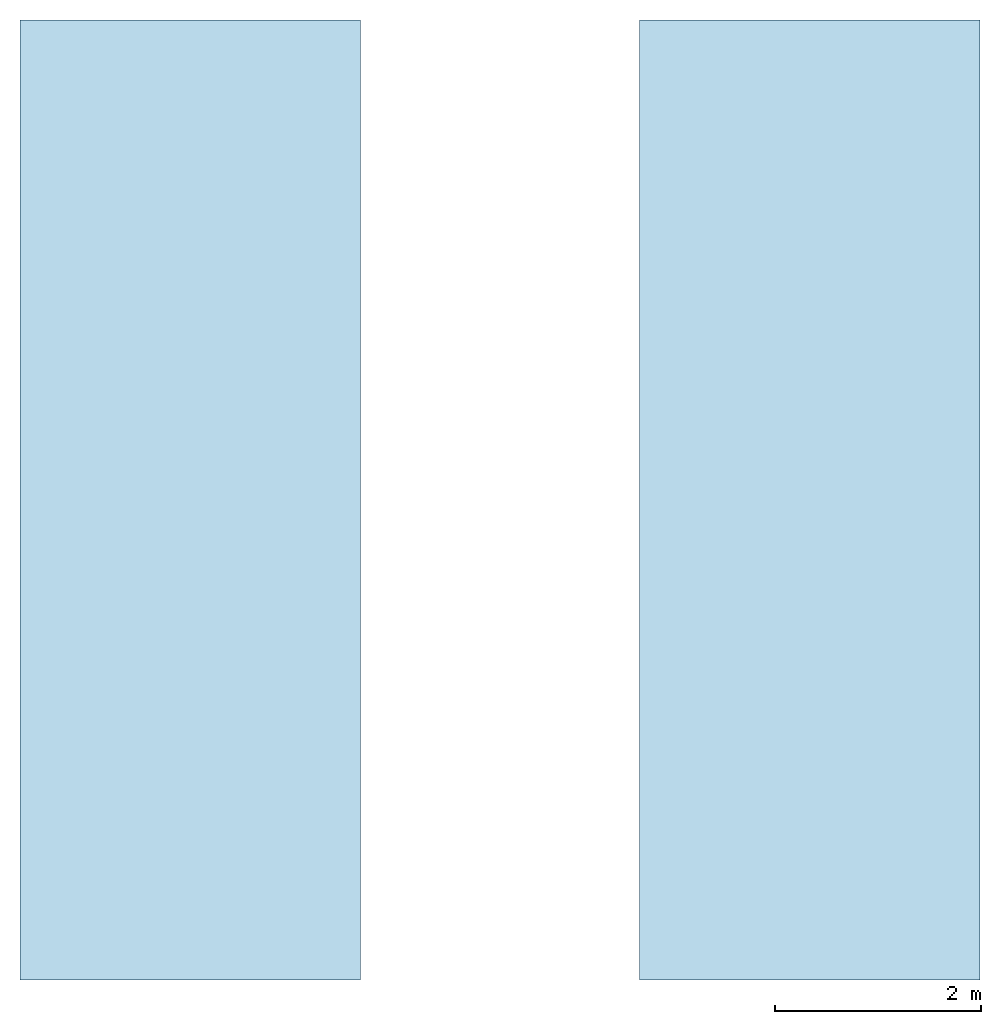
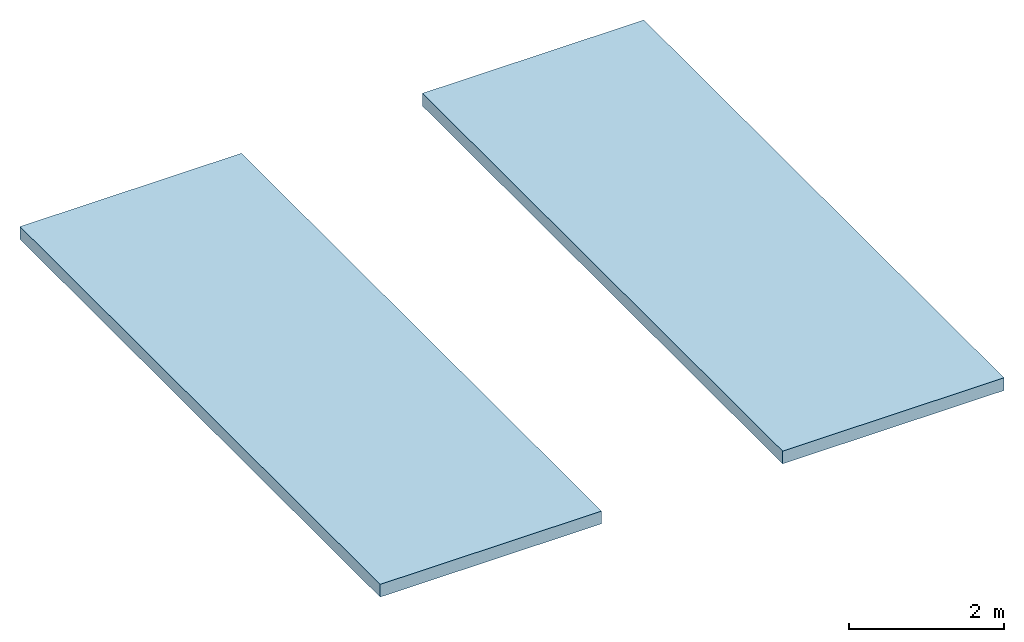
# One storey: 2 slabs.
"""IFC4 building model written with IfcOpenShell, lengths in metres."""

from ifc_helpers import new_model, si_unit, direction, frame, origin, place, context, subcontext, project, spatial, polyline, outline, extrude, material, layer, layer_set, type_object, element, save


model = new_model("IFC4")

# Units and contexts
model_context = context("Model", 3, precision=1e-05, world=origin(), true_north=direction((0.0, 1.0)))
body_context = subcontext(model_context, "Body", "Model", "MODEL_VIEW")
ifc_project = project(units=[si_unit("LENGTHUNIT", "METRE"), si_unit("AREAUNIT", "SQUARE_METRE"), si_unit("VOLUMEUNIT", "CUBIC_METRE"), si_unit("PLANEANGLEUNIT", "RADIAN"), si_unit("MASSUNIT", "GRAM", prefix="KILO")], contexts=[model_context])

# Site, building, storey
site_placement = place(None, origin())
site = spatial("IfcSite", under=ifc_project, at=site_placement, CompositionType="ELEMENT")
building_placement = place(site_placement, origin())
building = spatial("IfcBuilding", under=site, at=building_placement, Name="Hortulan Conservatory and Botanical Research Centre", CompositionType="ELEMENT")
storey_placement = place(building_placement, frame((0.0, 0.0, 78.89990234375)))
storey = spatial("IfcBuildingStorey", under=building, at=storey_placement, Name="UPPER ROOF", CompositionType="ELEMENT", Elevation=78.89990234375)

# Slabs
ifc_material = material(Name="Concrete N40 (40 MPa, AS 3600)", Category="concrete")
ifc_layer = layer(ifc_material, 0.199951171875)
ifc_layer_set = layer_set([ifc_layer], Name="Shaft Head Roof 200")
slab_type = type_object("IfcSlabType", Name="Shaft Head Roof 200", PredefinedType="ROOF", material=ifc_layer_set)
slab_1_placement = place(storey_placement, origin())
element("IfcSlab", 1, at=slab_1_placement, inside=storey, type_object=slab_type, Name="Lift TW74400-1 head roof", PredefinedType="ROOF", context=body_context, shape_type="SweptSolid", body=[
    extrude(outline(polyline([(16.64990234375, 8.85009765625), (13.35009765625, 8.85009765625), (13.35009765625, 18.14990234375), (16.64990234375, 18.14990234375), (16.64990234375, 8.85009765625)])), origin(), (0.0, 0.0, 1.0), 0.2001953125),
])
slab_2_placement = place(storey_placement, origin())
element("IfcSlab", 2, at=slab_2_placement, inside=storey, type_object=slab_type, Name="Lift TW74400-2 head roof", PredefinedType="ROOF", context=body_context, shape_type="SweptSolid", body=[
    extrude(outline(polyline([(22.64990234375, 8.85009765625), (19.35009765625, 8.85009765625), (19.35009765625, 18.14990234375), (22.64990234375, 18.14990234375), (22.64990234375, 8.85009765625)])), origin(), (0.0, 0.0, 1.0), 0.2001953125),
])

save(model, "model.ifc")
